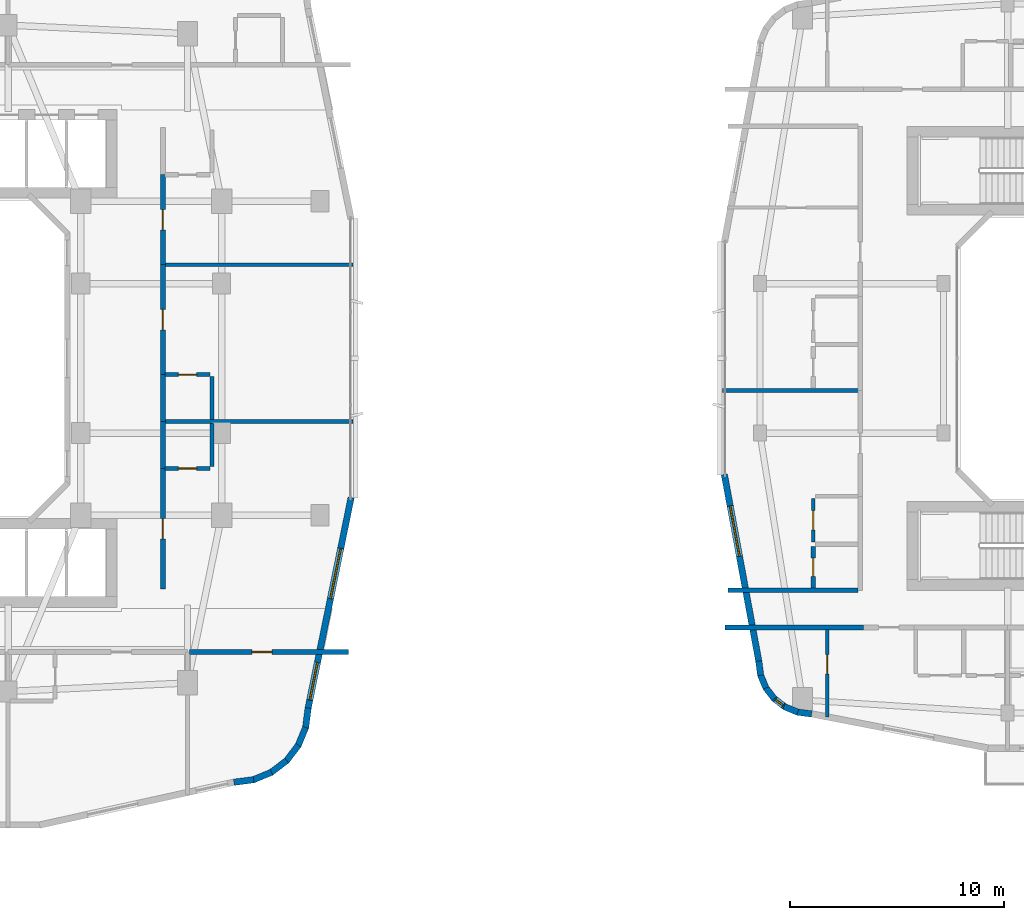
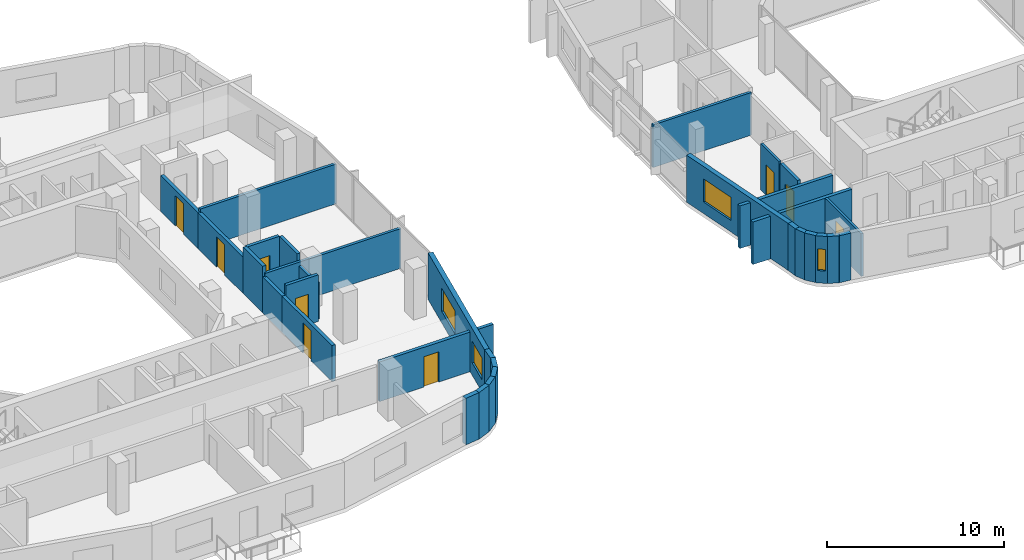
# One storey, part 11 of 24: 32 walls, 9 doors, 4 windows, 13 openings.
"""IFC4 building model written with IfcOpenShell, lengths in metres."""

from ifc_helpers import new_model, si_unit, derived_unit, direction, frame, frame_2d, origin, place, context, subcontext, project, spatial, rectangle, extrude, material, layer, layer_set, type_object, element, fill, save


model = new_model("IFC4")

# Units and contexts
model_context = context("Model", 3, precision=1e-05, world=origin(), true_north=direction((0.0, 1.0)))
body_context = subcontext(model_context, "Body", "Model", "MODEL_VIEW")
ifc_project = project(units=[si_unit("LENGTHUNIT", "METRE"), si_unit("AREAUNIT", "SQUARE_METRE"), si_unit("VOLUMEUNIT", "CUBIC_METRE"), si_unit("PLANEANGLEUNIT", "RADIAN"), si_unit("MASSUNIT", "GRAM", prefix="KILO"), derived_unit("THERMALTRANSMITTANCEUNIT", [(si_unit("POWERUNIT", "WATT"), 1), (si_unit("LENGTHUNIT", "METRE"), -2), (si_unit("THERMODYNAMICTEMPERATUREUNIT", "KELVIN"), -1)])], contexts=[model_context])

# Site, building, storey
site_placement = place(None, origin())
site = spatial("IfcSite", under=ifc_project, at=site_placement, CompositionType="ELEMENT")
building_placement = place(site_placement, origin())
building = spatial("IfcBuilding", under=site, at=building_placement, Name="Kivonza Crest Hotel", CompositionType="ELEMENT")
storey_placement = place(building_placement, frame((0.0, 0.0, 80.0)))
storey = spatial("IfcBuildingStorey", under=building, at=storey_placement, Name="L21", CompositionType="ELEMENT", Elevation=80.0)

# Walls
ifc_material_1 = material(Name="High-density acoustic masonry inter-tenancy wall", Category="masonry")
ifc_layer_1 = layer(ifc_material_1, 0.179931640625)
ifc_layer_set_1 = layer_set([ifc_layer_1], Name="High-density acoustic masonry inter-tenancy wall")
wall_type_1 = type_object("IfcWallType", Name="WL-ACOU-180", PredefinedType="SOLIDWALL", material=ifc_layer_set_1)
for number, where, z_axis, x_axis, name in (
    (1, (33.050048828125, 22.0390625, 0.0), (0.0, 0.0, 1.0), (1.0, 0.0, 0.0), "L21 interior partition WA-L21-T1E-DIV1"),
    (2, (33.050048828125, 29.383056640625, 0.0), (0.0, 0.0, 1.0), (1.0, 0.0, 0.0), "L21 interior partition WA-L21-T1E-DIV2"),
):
    element("IfcWall", number, at=place(storey_placement, frame(where, z_axis=z_axis, x_axis=x_axis)), inside=storey, type_object=wall_type_1, Name=name, PredefinedType="SOLIDWALL", context=body_context, shape_type="SweptSolid", body=[
        extrude(rectangle(XDim=8.889892578125, YDim=0.179931640625, at=frame_2d((4.44482421875, 0.0))), origin(), (0.0, 0.0, 1.0), 2.7451171875),
    ])
wall_1_placement = place(storey_placement, frame((59.260009765625, 23.5, 0.0), z_axis=(0.0, 0.0, 1.0), x_axis=(1.0, 0.0, 0.0)))
element("IfcWall", 3, at=wall_1_placement, inside=storey, type_object=wall_type_1, Name="L21 interior partition WA-L21-T2W-DIV1", PredefinedType="SOLIDWALL", context=body_context, shape_type="SweptSolid", body=[
    extrude(rectangle(XDim=6.43994140625, YDim=0.179931640625, at=frame_2d((3.219970703125, 0.0))), origin(), (0.0, 0.0, 1.0), 2.945068359375),
])

# Wall, opening, door
ifc_material_2 = material(Name="Autoclaved aerated concrete blockwork", Category="masonry")
ifc_layer_2 = layer(ifc_material_2, 0.219970703125)
ifc_layer_set_2 = layer_set([ifc_layer_2], Name="Autoclaved aerated concrete blockwork")
wall_type_2 = type_object("IfcWallType", Name="WL-ACOU-220", PredefinedType="SOLIDWALL", material=ifc_layer_set_2)
wall_2_placement = place(storey_placement, frame((34.300048828125, 11.25, 0.0), z_axis=(0.0, 0.0, 1.0), x_axis=(1.0, 0.0, 0.0)))
wall_2 = element("IfcWall", 4, at=wall_2_placement, inside=storey, type_object=wall_type_2, Name="L21 interior partition WA-L21-BUS-MTG-N", PredefinedType="SOLIDWALL", context=body_context, shape_type="SweptSolid", body=[
    extrude(rectangle(XDim=7.43994140625, YDim=0.219970703125, at=frame_2d((3.719970703125, 0.0))), origin(), (0.0, 0.0, 1.0), 2.7451171875),
])
opening_1_placement = place(wall_2_placement, frame((2.910888671875, 0.0, 0.0)))
opening_1 = element("IfcOpeningElement", 5, at=opening_1_placement, cuts=wall_2, Name="Opening DF-60S", PredefinedType="OPENING", context=body_context, shape_type="SweptSolid", body=[
    extrude(rectangle(XDim=0.949951171875, YDim=2.10009765625, at=frame_2d((0.47509765625, 1.050048828125))), frame((0.0, 0.1201171875, 0.0), z_axis=(0.0, -1.0, 0.0), x_axis=(1.0, 0.0, 0.0)), (0.0, 0.0, 1.0), 0.239990234375),
])
ifc_material_3 = material(Name="Hardwood timber oak", Category="wood")
door_type_1 = type_object("IfcDoorType", Name="DR-FD60-950", OperationType="NOTDEFINED", PredefinedType="DOOR", material=ifc_material_3)
door_1_placement = place(opening_1_placement, frame((0.949951171875, 0.0, 0.0), z_axis=(0.0, 0.0, 1.0), x_axis=(-1.0, 0.0, 0.0)))
door_1 = element("IfcDoor", 6, at=door_1_placement, inside=storey, type_object=door_type_1, Name="L21 Floor Conference Boardroom door", OperationType="SINGLE_SWING_RIGHT", OverallHeight=2.10009765625, OverallWidth=0.949951171875, PredefinedType="DOOR", context=body_context, shape_type="SweptSolid", body=[
    extrude(rectangle(XDim=0.949951171875, YDim=2.10009765625, at=frame_2d((0.47509765625, 1.050048828125))), frame((0.0, 0.02490234375, 0.0), z_axis=(0.0, -1.0, 0.0), x_axis=(1.0, 0.0, 0.0)), (0.0, 0.0, 1.0), 0.050048828125),
])
fill(opening_1, door_1)

# Wall
wall_3_placement = place(storey_placement, frame((33.050048828125, 19.839111328125, 0.0), z_axis=(0.0, 0.0, 1.0), x_axis=(0.0, 1.0, 0.0)))
element("IfcWall", 7, at=wall_3_placement, inside=storey, type_object=wall_type_2, Name="L21 interior partition WA-L21-E08-BCORR", PredefinedType="SOLIDWALL", context=body_context, shape_type="SweptSolid", body=[
    extrude(rectangle(XDim=2.199951171875, YDim=0.219970703125, at=frame_2d((1.10009765625, 0.0))), origin(), (0.0, 0.0, 1.0), 2.4951171875),
])

# Wall, opening, door
wall_4_placement = place(storey_placement, frame((33.050048828125, 14.199951171875, 0.0), z_axis=(0.0, 0.0, 1.0), x_axis=(0.0, 1.0, 0.0)))
wall_4 = element("IfcWall", 8, at=wall_4_placement, inside=storey, type_object=wall_type_2, Name="L21 interior partition WA-L21-E08-MCORR", PredefinedType="SOLIDWALL", context=body_context, shape_type="SweptSolid", body=[
    extrude(rectangle(XDim=5.63916015625, YDim=0.219970703125, at=frame_2d((2.819580078125, 0.0))), origin(), (0.0, 0.0, 1.0), 2.4951171875),
])
opening_2_placement = place(wall_4_placement, frame((2.343994140625, 0.0, 0.0)))
opening_2 = element("IfcOpeningElement", 9, at=opening_2_placement, cuts=wall_4, Name="Opening DU-60", PredefinedType="OPENING", context=body_context, shape_type="SweptSolid", body=[
    extrude(rectangle(XDim=0.949951171875, YDim=2.10009765625, at=frame_2d((0.47509765625, 1.050048828125))), frame((0.0, 0.1201171875, 0.0), z_axis=(0.0, -1.0, 0.0), x_axis=(1.0, 0.0, 0.0)), (0.0, 0.0, 1.0), 0.239990234375),
])
door_type_2 = type_object("IfcDoorType", Name="DR-UNIT-950", OperationType="NOTDEFINED", PredefinedType="DOOR", material=ifc_material_3)
door_2_placement = place(opening_2_placement, frame((0.949951171875, 0.0, 0.0), z_axis=(0.0, 0.0, 1.0), x_axis=(-1.0, 0.0, 0.0)))
door_2 = element("IfcDoor", 10, at=door_2_placement, inside=storey, type_object=door_type_2, Name="L21 E08 guest unit entrance fire door", OperationType="SINGLE_SWING_RIGHT", OverallHeight=2.10009765625, OverallWidth=0.949951171875, PredefinedType="DOOR", context=body_context, shape_type="SweptSolid", body=[
    extrude(rectangle(XDim=0.949951171875, YDim=2.10009765625, at=frame_2d((0.47509765625, 1.050048828125))), frame((0.0, 0.02490234375, 0.0), z_axis=(0.0, -1.0, 0.0), x_axis=(1.0, 0.0, 0.0)), (0.0, 0.0, 1.0), 0.050048828125),
])
fill(opening_2, door_2)

# Wall
wall_5_placement = place(storey_placement, frame((33.050048828125, 22.0390625, 0.0), z_axis=(0.0, 0.0, 1.0), x_axis=(0.0, 1.0, 0.0)))
element("IfcWall", 11, at=wall_5_placement, inside=storey, type_object=wall_type_2, Name="L21 interior partition WA-L21-E09-BCORR", PredefinedType="SOLIDWALL", context=body_context, shape_type="SweptSolid", body=[
    extrude(rectangle(XDim=2.199951171875, YDim=0.219970703125, at=frame_2d((1.10009765625, 0.0))), origin(), (0.0, 0.0, 1.0), 3.219970703125),
])

# Wall, opening, door
wall_6_placement = place(storey_placement, frame((33.050048828125, 24.239013671875, 0.0), z_axis=(0.0, 0.0, 1.0), x_axis=(0.0, 1.0, 0.0)))
wall_6 = element("IfcWall", 12, at=wall_6_placement, inside=storey, type_object=wall_type_2, Name="L21 interior partition WA-L21-E09-MCORR", PredefinedType="SOLIDWALL", context=body_context, shape_type="SweptSolid", body=[
    extrude(rectangle(XDim=5.14404296875, YDim=0.219970703125, at=frame_2d((2.572021484375, 0.0))), origin(), (0.0, 0.0, 1.0), 2.4951171875),
])
opening_3_placement = place(wall_6_placement, frame((2.096923828125, 0.0, 0.0)))
opening_3 = element("IfcOpeningElement", 13, at=opening_3_placement, cuts=wall_6, Name="Opening DU-60", PredefinedType="OPENING", context=body_context, shape_type="SweptSolid", body=[
    extrude(rectangle(XDim=0.949951171875, YDim=2.10009765625, at=frame_2d((0.47509765625, 1.050048828125))), frame((0.0, 0.1201171875, 0.0), z_axis=(0.0, -1.0, 0.0), x_axis=(1.0, 0.0, 0.0)), (0.0, 0.0, 1.0), 0.239990234375),
])
door_3_placement = place(opening_3_placement, frame((0.949951171875, 0.0, 0.0), z_axis=(0.0, 0.0, 1.0), x_axis=(-1.0, 0.0, 0.0)))
door_3 = element("IfcDoor", 14, at=door_3_placement, inside=storey, type_object=door_type_2, Name="L21 E09 guest unit entrance fire door", OperationType="SINGLE_SWING_LEFT", OverallHeight=2.10009765625, OverallWidth=0.949951171875, PredefinedType="DOOR", context=body_context, shape_type="SweptSolid", body=[
    extrude(rectangle(XDim=0.949951171875, YDim=2.10009765625, at=frame_2d((0.47509765625, 1.050048828125))), frame((0.0, 0.02490234375, 0.0), z_axis=(0.0, -1.0, 0.0), x_axis=(1.0, 0.0, 0.0)), (0.0, 0.0, 1.0), 0.050048828125),
])
fill(opening_3, door_3)

wall_7_placement = place(storey_placement, frame((33.050048828125, 29.383056640625, 0.0), z_axis=(0.0, 0.0, 1.0), x_axis=(0.0, 1.0, 0.0)))
wall_7 = element("IfcWall", 15, at=wall_7_placement, inside=storey, type_object=wall_type_2, Name="L21 interior partition WA-L21-E10-MCORR", PredefinedType="SOLIDWALL", context=body_context, shape_type="SweptSolid", body=[
    extrude(rectangle(XDim=4.217041015625, YDim=0.219970703125, at=frame_2d((2.1083984375, 0.0))), origin(), (0.0, 0.0, 1.0), 2.4951171875),
])
opening_4_placement = place(wall_7_placement, frame((1.634033203125, 0.0, 0.0)))
opening_4 = element("IfcOpeningElement", 16, at=opening_4_placement, cuts=wall_7, Name="Opening DU-60", PredefinedType="OPENING", context=body_context, shape_type="SweptSolid", body=[
    extrude(rectangle(XDim=0.949951171875, YDim=2.10009765625, at=frame_2d((0.47509765625, 1.050048828125))), frame((0.0, 0.1201171875, 0.0), z_axis=(0.0, -1.0, 0.0), x_axis=(1.0, 0.0, 0.0)), (0.0, 0.0, 1.0), 0.239990234375),
])
door_4_placement = place(opening_4_placement, frame((0.949951171875, 0.0, 0.0), z_axis=(0.0, 0.0, 1.0), x_axis=(-1.0, 0.0, 0.0)))
door_4 = element("IfcDoor", 17, at=door_4_placement, inside=storey, type_object=door_type_2, Name="L21 E10 guest unit entrance fire door", OperationType="SINGLE_SWING_RIGHT", OverallHeight=2.10009765625, OverallWidth=0.949951171875, PredefinedType="DOOR", context=body_context, shape_type="SweptSolid", body=[
    extrude(rectangle(XDim=0.949951171875, YDim=2.10009765625, at=frame_2d((0.47509765625, 1.050048828125))), frame((0.0, 0.02490234375, 0.0), z_axis=(0.0, -1.0, 0.0), x_axis=(1.0, 0.0, 0.0)), (0.0, 0.0, 1.0), 0.050048828125),
])
fill(opening_4, door_4)

# Walls
wall_8_placement = place(storey_placement, frame((59.360107421875, 12.39990234375, 0.0), z_axis=(0.0, 0.0, 1.0), x_axis=(1.0, 0.0, 0.0)))
element("IfcWall", 18, at=wall_8_placement, inside=storey, type_object=wall_type_2, Name="L21 interior partition WA-L21-A03-LCORR", PredefinedType="SOLIDWALL", context=body_context, shape_type="SweptSolid", body=[
    extrude(rectangle(XDim=6.489990234375, YDim=0.219970703125, at=frame_2d((3.2451171875, 0.0))), origin(), (0.0, 0.0, 1.0), 2.945068359375),
])
wall_9_placement = place(storey_placement, frame((59.52001953125, 14.139892578125, 0.0), z_axis=(0.0, 0.0, 1.0), x_axis=(1.0, 0.0, 0.0)))
element("IfcWall", 19, at=wall_9_placement, inside=storey, type_object=wall_type_2, Name="L21 interior partition WA-L21-T2W-ENDS", PredefinedType="SOLIDWALL", context=body_context, shape_type="SweptSolid", body=[
    extrude(rectangle(XDim=6.080078125, YDim=0.219970703125, at=frame_2d((3.0400390625, 0.0))), origin(), (0.0, 0.0, 1.0), 2.945068359375),
])
ifc_material_4 = material(Name="Precast concrete C40/50", Category="concrete")
ifc_layer_3 = layer(ifc_material_4, 0.300048828125)
ifc_layer_set_3 = layer_set([ifc_layer_3], Name="Precast concrete C40/50")
wall_type_3 = type_object("IfcWallType", Name="WL-EXT-300", PredefinedType="STANDARD", material=ifc_layer_set_3)
wall_10_placement = place(storey_placement, frame((36.3720703125, 5.14794921875, 0.0), z_axis=(0.0, 0.0, 1.0), x_axis=(0.991359246108, 0.131174864804, 0.0)))
element("IfcWall", 20, at=wall_10_placement, inside=storey, type_object=wall_type_3, Name="L21 T1 exterior insulated wall 10", PredefinedType="STANDARD", context=body_context, shape_type="SweptSolid", body=[
    extrude(rectangle(XDim=0.93798828125, YDim=0.300048828125, at=frame_2d((0.468994140625, 0.0))), origin(), (0.0, 0.0, 1.0), 3.219970703125),
])
wall_11_placement = place(storey_placement, frame((37.251953125, 5.251953125, 0.0), z_axis=(0.0, 0.0, 1.0), x_axis=(0.924019948111, 0.382344263057, 0.0)))
element("IfcWall", 21, at=wall_11_placement, inside=storey, type_object=wall_type_3, Name="L21 T1 exterior insulated wall 11", PredefinedType="STANDARD", context=body_context, shape_type="SweptSolid", body=[
    extrude(rectangle(XDim=0.95458984375, YDim=0.300048828125, at=frame_2d((0.477294921875, 0.0))), origin(), (0.0, 0.0, 1.0), 3.219970703125),
])
wall_12_placement = place(storey_placement, frame((38.089111328125, 5.5859375, 0.0), z_axis=(0.0, 0.0, 1.0), x_axis=(0.793573440799, 0.608474481025, 0.0)))
element("IfcWall", 22, at=wall_12_placement, inside=storey, type_object=wall_type_3, Name="L21 T1 exterior insulated wall 12", PredefinedType="STANDARD", context=body_context, shape_type="SweptSolid", body=[
    extrude(rectangle(XDim=0.954833984375, YDim=0.300048828125, at=frame_2d((0.4775390625, 0.0))), origin(), (0.0, 0.0, 1.0), 3.219970703125),
])
wall_13_placement = place(storey_placement, frame((38.81201171875, 6.125, 0.0), z_axis=(0.0, 0.0, 1.0), x_axis=(0.608351047625, 0.793668068435, 0.0)))
element("IfcWall", 23, at=wall_13_placement, inside=storey, type_object=wall_type_3, Name="L21 T1 exterior insulated wall 13", PredefinedType="STANDARD", context=body_context, shape_type="SweptSolid", body=[
    extrude(rectangle(XDim=0.955078125, YDim=0.300048828125, at=frame_2d((0.4775390625, 0.0))), origin(), (0.0, 0.0, 1.0), 3.219970703125),
])
wall_14_placement = place(storey_placement, frame((39.368896484375, 6.833984375, 0.0), z_axis=(0.0, 0.0, 1.0), x_axis=(0.382344263057, 0.924019948111, 0.0)))
element("IfcWall", 24, at=wall_14_placement, inside=storey, type_object=wall_type_3, Name="L21 T1 exterior insulated wall 14", PredefinedType="STANDARD", context=body_context, shape_type="SweptSolid", body=[
    extrude(rectangle(XDim=0.95458984375, YDim=0.300048828125, at=frame_2d((0.477294921875, 0.0))), origin(), (0.0, 0.0, 1.0), 3.219970703125),
])
wall_15_placement = place(storey_placement, frame((39.72509765625, 7.6630859375, 0.0), z_axis=(0.0, 0.0, 1.0), x_axis=(0.130454512571, 0.991454295543, 0.0)))
element("IfcWall", 25, at=wall_15_placement, inside=storey, type_object=wall_type_3, Name="L21 T1 exterior insulated wall 15", PredefinedType="STANDARD", context=body_context, shape_type="SweptSolid", body=[
    extrude(rectangle(XDim=0.97314453125, YDim=0.300048828125, at=frame_2d((0.486572265625, 0.0))), origin(), (0.0, 0.0, 1.0), 3.219970703125),
])

# Wall, openings, windows
wall_16_placement = place(storey_placement, frame((39.85107421875, 8.6220703125, 0.0), z_axis=(0.0, 0.0, 1.0), x_axis=(0.199990901713, 0.979797754249, 0.0)))
wall_16 = element("IfcWall", 26, at=wall_16_placement, inside=storey, type_object=wall_type_3, Name="L21 T1 exterior insulated wall 16", PredefinedType="STANDARD", context=body_context, shape_type="SweptSolid", body=[
    extrude(rectangle(XDim=10.065185546875, YDim=0.300048828125, at=frame_2d((5.03271484375, 0.0))), origin(), (0.0, 0.0, 1.0), 3.219970703125),
])
opening_5_placement = place(wall_16_placement, frame((0.3779296875, 0.0, 0.85009765625)))
opening_5 = element("IfcOpeningElement", 27, at=opening_5_placement, cuts=wall_16, Name="Opening WN-03", PredefinedType="OPENING", context=body_context, shape_type="SweptSolid", body=[
    extrude(rectangle(XDim=1.800048828125, YDim=1.5, at=frame_2d((0.89990234375, 0.75))), frame((0.0, 0.16015625, 0.0), z_axis=(0.0, -1.0, 0.0), x_axis=(1.0, 0.0, 0.0)), (0.0, 0.0, 1.0), 0.320068359375),
])
opening_6_placement = place(wall_16_placement, frame((5.236083984375, 0.0, 0.800048828125)))
opening_6 = element("IfcOpeningElement", 28, at=opening_6_placement, cuts=wall_16, Name="Opening WN-05", PredefinedType="OPENING", context=body_context, shape_type="SweptSolid", body=[
    extrude(rectangle(XDim=2.39990234375, YDim=1.60009765625, at=frame_2d((1.199951171875, 0.800048828125))), frame((0.0, 0.16015625, 0.0), z_axis=(0.0, -1.0, 0.0), x_axis=(1.0, 0.0, 0.0)), (0.0, 0.0, 1.0), 0.320068359375),
])
ifc_material_5 = material(Name="Thermally broken bronze aluminium and low-E double glazing", Category="aluminium")
window_type_1 = type_object("IfcWindowType", Name="WN-180x150", PartitioningType="DOUBLE_PANEL_VERTICAL", PredefinedType="WINDOW", material=ifc_material_5)
window_1_placement = place(opening_5_placement, origin())
window_1 = element("IfcWindow", 29, at=window_1_placement, inside=storey, type_object=window_type_1, Name="L21 T1 facade window 16 bay 1", OverallHeight=1.5, OverallWidth=1.800048828125, PartitioningType="SINGLE_PANEL", PredefinedType="WINDOW", context=body_context, shape_type="SweptSolid", body=[
    extrude(rectangle(XDim=1.800048828125, YDim=1.5, at=frame_2d((0.89990234375, 0.75))), frame((0.0, 0.030029296875, 0.0), z_axis=(0.0, -1.0, 0.0), x_axis=(1.0, 0.0, 0.0)), (0.0, 0.0, 1.0), 0.06005859375),
])
fill(opening_5, window_1)
window_type_2 = type_object("IfcWindowType", Name="WN-240x160", PartitioningType="TRIPLE_PANEL_VERTICAL", PredefinedType="WINDOW", material=ifc_material_5)
window_2_placement = place(opening_6_placement, origin())
window_2 = element("IfcWindow", 30, at=window_2_placement, inside=storey, type_object=window_type_2, Name="L21 T1 facade window 16 bay 2", OverallHeight=1.60009765625, OverallWidth=2.39990234375, PartitioningType="SINGLE_PANEL", PredefinedType="WINDOW", context=body_context, shape_type="SweptSolid", body=[
    extrude(rectangle(XDim=2.39990234375, YDim=1.60009765625, at=frame_2d((1.199951171875, 0.800048828125))), frame((0.0, 0.030029296875, 0.0), z_axis=(0.0, -1.0, 0.0), x_axis=(1.0, 0.0, 0.0)), (0.0, 0.0, 1.0), 0.06005859375),
])
fill(opening_6, window_2)

# Walls
wall_17_placement = place(storey_placement, frame((60.947998046875, 10.827880859375, 0.0), z_axis=(0.0, 0.0, 1.0), x_axis=(0.131667498923, -0.991293937098, 0.0)))
element("IfcWall", 31, at=wall_17_placement, inside=storey, type_object=wall_type_3, Name="L21 T2 exterior insulated wall 1", PredefinedType="STANDARD", context=body_context, shape_type="SweptSolid", body=[
    extrude(rectangle(XDim=0.6767578125, YDim=0.300048828125, at=frame_2d((0.33837890625, 0.0))), origin(), (0.0, 0.0, 1.0), 3.25),
])
wall_18_placement = place(storey_placement, frame((61.01806640625, 10.20703125, 0.0), z_axis=(0.0, 0.0, 1.0), x_axis=(0.381864727877, -0.92421822618, 0.0)))
element("IfcWall", 32, at=wall_18_placement, inside=storey, type_object=wall_type_3, Name="L21 T2 exterior insulated wall 2", PredefinedType="STANDARD", context=body_context, shape_type="SweptSolid", body=[
    extrude(rectangle(XDim=0.693603515625, YDim=0.300048828125, at=frame_2d((0.3466796875, 0.0))), origin(), (0.0, 0.0, 1.0), 3.25),
])
wall_19_placement = place(storey_placement, frame((61.251953125, 9.611083984375, 0.0), z_axis=(0.0, 0.0, 1.0), x_axis=(0.609693758543, -0.792637067512, 0.0)))
element("IfcWall", 33, at=wall_19_placement, inside=storey, type_object=wall_type_3, Name="L21 T2 exterior insulated wall 3", PredefinedType="STANDARD", context=body_context, shape_type="SweptSolid", body=[
    extrude(rectangle(XDim=0.69384765625, YDim=0.300048828125, at=frame_2d((0.346923828125, 0.0))), origin(), (0.0, 0.0, 1.0), 3.25),
])

# Wall, opening, window
wall_20_placement = place(storey_placement, frame((61.633056640625, 9.095947265625, 0.0), z_axis=(0.0, 0.0, 1.0), x_axis=(0.792807092876, -0.609472651958, 0.0)))
wall_20 = element("IfcWall", 34, at=wall_20_placement, inside=storey, type_object=wall_type_3, Name="L21 T2 exterior insulated wall 4", PredefinedType="STANDARD", context=body_context, shape_type="SweptSolid", body=[
    extrude(rectangle(XDim=0.69384765625, YDim=0.300048828125, at=frame_2d((0.346923828125, 0.0))), origin(), (0.0, 0.0, 1.0), 3.25),
])
opening_7_placement = place(wall_20_placement, frame((0.1220703125, 0.0, 0.85009765625)))
opening_7 = element("IfcOpeningElement", 35, at=opening_7_placement, cuts=wall_20, Name="Opening WN-11", PredefinedType="OPENING", context=body_context, shape_type="SweptSolid", body=[
    extrude(rectangle(XDim=0.449951171875, YDim=1.5, at=frame_2d((0.22509765625, 0.75))), frame((0.0, 0.16015625, 0.0), z_axis=(0.0, -1.0, 0.0), x_axis=(1.0, 0.0, 0.0)), (0.0, 0.0, 1.0), 0.320068359375),
])
window_type_3 = type_object("IfcWindowType", Name="WN-045x150", PartitioningType="SINGLE_PANEL", PredefinedType="WINDOW", material=ifc_material_5)
window_3_placement = place(opening_7_placement, origin())
window_3 = element("IfcWindow", 36, at=window_3_placement, inside=storey, type_object=window_type_3, Name="L21 corner vision window 3", OverallHeight=1.5, OverallWidth=0.449951171875, PartitioningType="SINGLE_PANEL", PredefinedType="WINDOW", context=body_context, shape_type="SweptSolid", body=[
    extrude(rectangle(XDim=0.449951171875, YDim=1.5, at=frame_2d((0.22509765625, 0.75))), frame((0.0, 0.030029296875, 0.0), z_axis=(0.0, -1.0, 0.0), x_axis=(1.0, 0.0, 0.0)), (0.0, 0.0, 1.0), 0.06005859375),
])
fill(opening_7, window_3)

# Walls
wall_21_placement = place(storey_placement, frame((62.134033203125, 8.697021484375, 0.0), z_axis=(0.0, 0.0, 1.0), x_axis=(0.924042561464, -0.382289608286, 0.0)))
element("IfcWall", 37, at=wall_21_placement, inside=storey, type_object=wall_type_3, Name="L21 T2 exterior insulated wall 5", PredefinedType="STANDARD", context=body_context, shape_type="SweptSolid", body=[
    extrude(rectangle(XDim=0.693603515625, YDim=0.300048828125, at=frame_2d((0.3466796875, 0.0))), origin(), (0.0, 0.0, 1.0), 3.25),
])
wall_22_placement = place(storey_placement, frame((62.721923828125, 8.44091796875, 0.0), z_axis=(0.0, 0.0, 1.0), x_axis=(0.991433279471, -0.130614135366, 0.0)))
element("IfcWall", 38, at=wall_22_placement, inside=storey, type_object=wall_type_3, Name="L21 T2 exterior insulated wall 6", PredefinedType="STANDARD", context=body_context, shape_type="SweptSolid", body=[
    extrude(rectangle(XDim=0.712158203125, YDim=0.300048828125, at=frame_2d((0.35595703125, 0.0))), origin(), (0.0, 0.0, 1.0), 3.25),
])

# Wall, opening, window
wall_23_placement = place(storey_placement, frame((59.337890625, 19.56103515625, 0.0), z_axis=(0.0, 0.0, 1.0), x_axis=(0.181241420611, -0.983438634311, 0.0)))
wall_23 = element("IfcWall", 39, at=wall_23_placement, inside=storey, type_object=wall_type_3, Name="L21 T2 exterior insulated wall 36", PredefinedType="STANDARD", context=body_context, shape_type="SweptSolid", body=[
    extrude(rectangle(XDim=8.88916015625, YDim=0.300048828125, at=frame_2d((4.444580078125, 0.0))), origin(), (0.0, 0.0, 1.0), 3.25),
])
opening_8_placement = place(wall_23_placement, frame((1.4970703125, 0.0, 0.800048828125)))
opening_8 = element("IfcOpeningElement", 40, at=opening_8_placement, cuts=wall_23, Name="Opening WN-05", PredefinedType="OPENING", context=body_context, shape_type="SweptSolid", body=[
    extrude(rectangle(XDim=2.39990234375, YDim=1.60009765625, at=frame_2d((1.199951171875, 0.800048828125))), frame((0.0, 0.16015625, 0.0), z_axis=(0.0, -1.0, 0.0), x_axis=(1.0, 0.0, 0.0)), (0.0, 0.0, 1.0), 0.320068359375),
])
window_4_placement = place(opening_8_placement, origin())
window_4 = element("IfcWindow", 41, at=window_4_placement, inside=storey, type_object=window_type_2, Name="L21 T2 facade window 36", OverallHeight=1.60009765625, OverallWidth=2.39990234375, PartitioningType="SINGLE_PANEL", PredefinedType="WINDOW", context=body_context, shape_type="SweptSolid", body=[
    extrude(rectangle(XDim=2.39990234375, YDim=1.60009765625, at=frame_2d((1.199951171875, 0.800048828125))), frame((0.0, 0.030029296875, 0.0), z_axis=(0.0, -1.0, 0.0), x_axis=(1.0, 0.0, 0.0)), (0.0, 0.0, 1.0), 0.06005859375),
])
fill(opening_8, window_4)

# Wall, opening, door
ifc_material_6 = material(Name="Twin-stud acoustic gypsum board partition", Category="gypsum")
ifc_layer_4 = layer(ifc_material_6, 0.14990234375)
ifc_layer_set_4 = layer_set([ifc_layer_4], Name="Twin-stud acoustic gypsum board partition")
wall_type_4 = type_object("IfcWallType", Name="WL-PART-150", PredefinedType="PARTITIONING", material=ifc_layer_set_4)
wall_24_placement = place(storey_placement, frame((64.159912109375, 8.214111328125, 0.0), z_axis=(0.0, 0.0, 1.0), x_axis=(0.0, 1.0, 0.0)))
wall_24 = element("IfcWall", 42, at=wall_24_placement, inside=storey, type_object=wall_type_4, Name="L21 interior partition WP-L21-A03-BDW1", PredefinedType="PARTITIONING", context=body_context, shape_type="SweptSolid", body=[
    extrude(rectangle(XDim=4.0859375, YDim=0.14990234375, at=frame_2d((2.04296875, 0.0))), origin(), (0.0, 0.0, 1.0), 2.945068359375),
])
opening_9_placement = place(wall_24_placement, frame((2.010009765625, 0.0, 0.0)))
opening_9 = element("IfcOpeningElement", 43, at=opening_9_placement, cuts=wall_24, Name="Opening DI-90", PredefinedType="OPENING", context=body_context, shape_type="SweptSolid", body=[
    extrude(rectangle(XDim=0.89990234375, YDim=2.10009765625, at=frame_2d((0.449951171875, 1.050048828125))), frame((0.0, 0.0849609375, 0.0), z_axis=(0.0, -1.0, 0.0), x_axis=(1.0, 0.0, 0.0)), (0.0, 0.0, 1.0), 0.169921875),
])
door_type_3 = type_object("IfcDoorType", Name="DR-INT-900", OperationType="NOTDEFINED", PredefinedType="DOOR", material=ifc_material_3)
door_5_placement = place(opening_9_placement, origin())
door_5 = element("IfcDoor", 44, at=door_5_placement, inside=storey, type_object=door_type_3, Name="L21 A03 bedroom 1 door", OperationType="SINGLE_SWING_RIGHT", OverallHeight=2.10009765625, OverallWidth=0.89990234375, PredefinedType="DOOR", context=body_context, shape_type="SweptSolid", body=[
    extrude(rectangle(XDim=0.89990234375, YDim=2.10009765625, at=frame_2d((0.449951171875, 1.050048828125))), frame((0.0, 0.02490234375, 0.0), z_axis=(0.0, -1.0, 0.0), x_axis=(1.0, 0.0, 0.0)), (0.0, 0.0, 1.0), 0.050048828125),
])
fill(opening_9, door_5)

wall_25_placement = place(storey_placement, frame((63.5, 16.389892578125, 0.0), z_axis=(0.0, 0.0, 1.0), x_axis=(0.0, 1.0, 0.0)))
wall_25 = element("IfcWall", 45, at=wall_25_placement, inside=storey, type_object=wall_type_4, Name="L21 interior partition WP-L21-A06-KSVC", PredefinedType="PARTITIONING", context=body_context, shape_type="SweptSolid", body=[
    extrude(rectangle(XDim=2.050048828125, YDim=0.14990234375, at=frame_2d((1.02490234375, 0.0))), origin(), (0.0, 0.0, 1.0), 3.219970703125),
])
opening_10_placement = place(wall_25_placement, frame((0.574951171875, 0.0, 0.0)))
opening_10 = element("IfcOpeningElement", 46, at=opening_10_placement, cuts=wall_25, Name="Opening DI-90", PredefinedType="OPENING", context=body_context, shape_type="SweptSolid", body=[
    extrude(rectangle(XDim=0.89990234375, YDim=2.10009765625, at=frame_2d((0.449951171875, 1.050048828125))), frame((0.0, 0.0849609375, 0.0), z_axis=(0.0, -1.0, 0.0), x_axis=(1.0, 0.0, 0.0)), (0.0, 0.0, 1.0), 0.169921875),
])
door_6_placement = place(opening_10_placement, origin())
door_6 = element("IfcDoor", 47, at=door_6_placement, inside=storey, type_object=door_type_3, Name="L21 A06 apartment kitchen door", OperationType="SINGLE_SWING_RIGHT", OverallHeight=2.10009765625, OverallWidth=0.89990234375, PredefinedType="DOOR", context=body_context, shape_type="SweptSolid", body=[
    extrude(rectangle(XDim=0.89990234375, YDim=2.10009765625, at=frame_2d((0.449951171875, 1.050048828125))), frame((0.0, 0.02490234375, 0.0), z_axis=(0.0, -1.0, 0.0), x_axis=(1.0, 0.0, 0.0)), (0.0, 0.0, 1.0), 0.050048828125),
])
fill(opening_10, door_6)

ifc_material_7 = material(Name="Moisture-resistant plumbing chase partition wall", Category="gypsum")
ifc_layer_5 = layer(ifc_material_7, 0.199951171875)
ifc_layer_set_5 = layer_set([ifc_layer_5], Name="Moisture-resistant plumbing chase partition wall")
wall_type_5 = type_object("IfcWallType", Name="WL-PLUMB-200", PredefinedType="PLUMBINGWALL", material=ifc_layer_set_5)
wall_26_placement = place(storey_placement, frame((33.14990234375, 19.839111328125, 0.0), z_axis=(0.0, 0.0, 1.0), x_axis=(1.0, 0.0, 0.0)))
wall_26 = element("IfcWall", 48, at=wall_26_placement, inside=storey, type_object=wall_type_5, Name="L21 interior partition WW-L21-E08-BH", PredefinedType="PLUMBINGWALL", context=body_context, shape_type="SweptSolid", body=[
    extrude(rectangle(XDim=2.10009765625, YDim=0.199951171875, at=frame_2d((1.050048828125, 0.0))), origin(), (0.0, 0.0, 1.0), 3.219970703125),
])
opening_11_placement = place(wall_26_placement, frame((0.625, 0.0, 0.0)))
opening_11 = element("IfcOpeningElement", 49, at=opening_11_placement, cuts=wall_26, Name="Opening DI-85", PredefinedType="OPENING", context=body_context, shape_type="SweptSolid", body=[
    extrude(rectangle(XDim=0.85009765625, YDim=2.10009765625, at=frame_2d((0.425048828125, 1.050048828125))), frame((0.0, 0.10986328125, 0.0), z_axis=(0.0, -1.0, 0.0), x_axis=(1.0, 0.0, 0.0)), (0.0, 0.0, 1.0), 0.219970703125),
])
door_type_4 = type_object("IfcDoorType", Name="DR-INT-850", OperationType="NOTDEFINED", PredefinedType="DOOR", material=ifc_material_3)
door_7_placement = place(opening_11_placement, frame((0.85009765625, 0.0, 0.0), z_axis=(0.0, 0.0, 1.0), x_axis=(-1.0, 0.0, 0.0)))
door_7 = element("IfcDoor", 50, at=door_7_placement, inside=storey, type_object=door_type_4, Name="L21 E08 en-suite bathroom door", OperationType="SINGLE_SWING_LEFT", OverallHeight=2.10009765625, OverallWidth=0.85009765625, PredefinedType="DOOR", context=body_context, shape_type="SweptSolid", body=[
    extrude(rectangle(XDim=0.85009765625, YDim=2.10009765625, at=frame_2d((0.425048828125, 1.050048828125))), frame((0.0, 0.02490234375, 0.0), z_axis=(0.0, -1.0, 0.0), x_axis=(1.0, 0.0, 0.0)), (0.0, 0.0, 1.0), 0.050048828125),
])
fill(opening_11, door_7)

# Wall
wall_27_placement = place(storey_placement, frame((35.35009765625, 19.93896484375, 0.0), z_axis=(0.0, 0.0, 1.0), x_axis=(0.0, 1.0, 0.0)))
element("IfcWall", 51, at=wall_27_placement, inside=storey, type_object=wall_type_5, Name="L21 interior partition WW-L21-E08-BV", PredefinedType="PLUMBINGWALL", context=body_context, shape_type="SweptSolid", body=[
    extrude(rectangle(XDim=2.0, YDim=0.199951171875, at=frame_2d((1.0, 0.0))), origin(), (0.0, 0.0, 1.0), 2.4951171875),
])

# Wall, opening, door
wall_28_placement = place(storey_placement, frame((33.14990234375, 24.239013671875, 0.0), z_axis=(0.0, 0.0, 1.0), x_axis=(1.0, 0.0, 0.0)))
wall_28 = element("IfcWall", 52, at=wall_28_placement, inside=storey, type_object=wall_type_5, Name="L21 interior partition WW-L21-E09-BH", PredefinedType="PLUMBINGWALL", context=body_context, shape_type="SweptSolid", body=[
    extrude(rectangle(XDim=2.10009765625, YDim=0.199951171875, at=frame_2d((1.050048828125, 0.0))), origin(), (0.0, 0.0, 1.0), 3.219970703125),
])
opening_12_placement = place(wall_28_placement, frame((0.625, 0.0, 0.0)))
opening_12 = element("IfcOpeningElement", 53, at=opening_12_placement, cuts=wall_28, Name="Opening DI-85", PredefinedType="OPENING", context=body_context, shape_type="SweptSolid", body=[
    extrude(rectangle(XDim=0.85009765625, YDim=2.10009765625, at=frame_2d((0.425048828125, 1.050048828125))), frame((0.0, 0.10986328125, 0.0), z_axis=(0.0, -1.0, 0.0), x_axis=(1.0, 0.0, 0.0)), (0.0, 0.0, 1.0), 0.219970703125),
])
door_8_placement = place(opening_12_placement, origin())
door_8 = element("IfcDoor", 54, at=door_8_placement, inside=storey, type_object=door_type_4, Name="L21 E09 en-suite bathroom door", OperationType="SINGLE_SWING_RIGHT", OverallHeight=2.10009765625, OverallWidth=0.85009765625, PredefinedType="DOOR", context=body_context, shape_type="SweptSolid", body=[
    extrude(rectangle(XDim=0.85009765625, YDim=2.10009765625, at=frame_2d((0.425048828125, 1.050048828125))), frame((0.0, 0.02490234375, 0.0), z_axis=(0.0, -1.0, 0.0), x_axis=(1.0, 0.0, 0.0)), (0.0, 0.0, 1.0), 0.050048828125),
])
fill(opening_12, door_8)

# Wall
wall_29_placement = place(storey_placement, frame((35.35009765625, 22.138916015625, 0.0), z_axis=(0.0, 0.0, 1.0), x_axis=(0.0, 1.0, 0.0)))
element("IfcWall", 55, at=wall_29_placement, inside=storey, type_object=wall_type_5, Name="L21 interior partition WW-L21-E09-BV", PredefinedType="PLUMBINGWALL", context=body_context, shape_type="SweptSolid", body=[
    extrude(rectangle(XDim=2.0, YDim=0.199951171875, at=frame_2d((1.0, 0.0))), origin(), (0.0, 0.0, 1.0), 3.219970703125),
])

# Wall, opening, door
wall_30_placement = place(storey_placement, frame((63.5, 14.239990234375, 0.0), z_axis=(0.0, 0.0, 1.0), x_axis=(0.0, 1.0, 0.0)))
wall_30 = element("IfcWall", 56, at=wall_30_placement, inside=storey, type_object=wall_type_5, Name="L21 interior partition WW-L21-A06-BSVC", PredefinedType="PLUMBINGWALL", context=body_context, shape_type="SweptSolid", body=[
    extrude(rectangle(XDim=1.949951171875, YDim=0.199951171875, at=frame_2d((0.97509765625, 0.0))), origin(), (0.0, 0.0, 1.0), 3.219970703125),
])
opening_13_placement = place(wall_30_placement, frame((0.550048828125, 0.0, 0.0)))
opening_13 = element("IfcOpeningElement", 57, at=opening_13_placement, cuts=wall_30, Name="Opening DI-85", PredefinedType="OPENING", context=body_context, shape_type="SweptSolid", body=[
    extrude(rectangle(XDim=0.85009765625, YDim=2.10009765625, at=frame_2d((0.425048828125, 1.050048828125))), frame((0.0, 0.10986328125, 0.0), z_axis=(0.0, -1.0, 0.0), x_axis=(1.0, 0.0, 0.0)), (0.0, 0.0, 1.0), 0.219970703125),
])
door_9_placement = place(opening_13_placement, origin())
door_9 = element("IfcDoor", 58, at=door_9_placement, inside=storey, type_object=door_type_4, Name="L21 A06 apartment bathroom door", OperationType="SINGLE_SWING_LEFT", OverallHeight=2.10009765625, OverallWidth=0.85009765625, PredefinedType="DOOR", context=body_context, shape_type="SweptSolid", body=[
    extrude(rectangle(XDim=0.85009765625, YDim=2.10009765625, at=frame_2d((0.425048828125, 1.050048828125))), frame((0.0, 0.02490234375, 0.0), z_axis=(0.0, -1.0, 0.0), x_axis=(1.0, 0.0, 0.0)), (0.0, 0.0, 1.0), 0.050048828125),
])
fill(opening_13, door_9)

save(model, "model.ifc")
